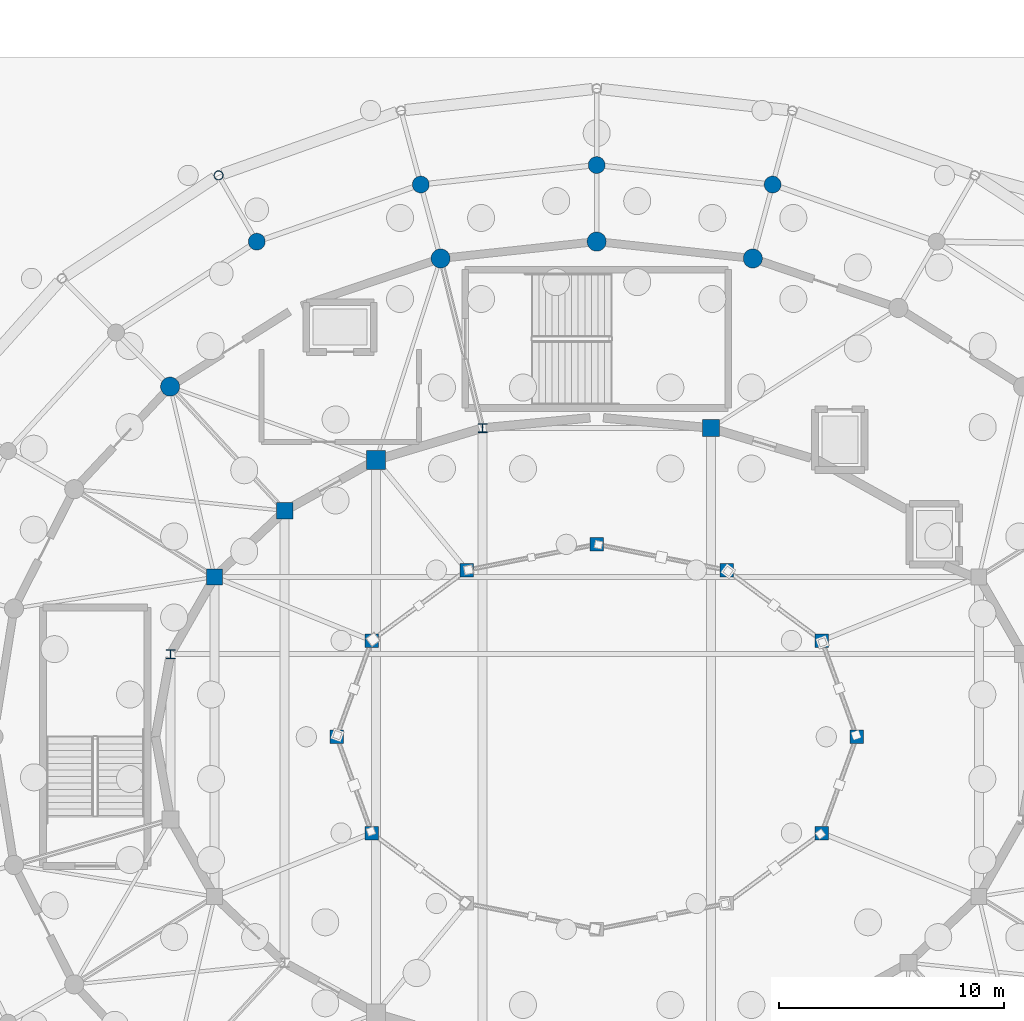
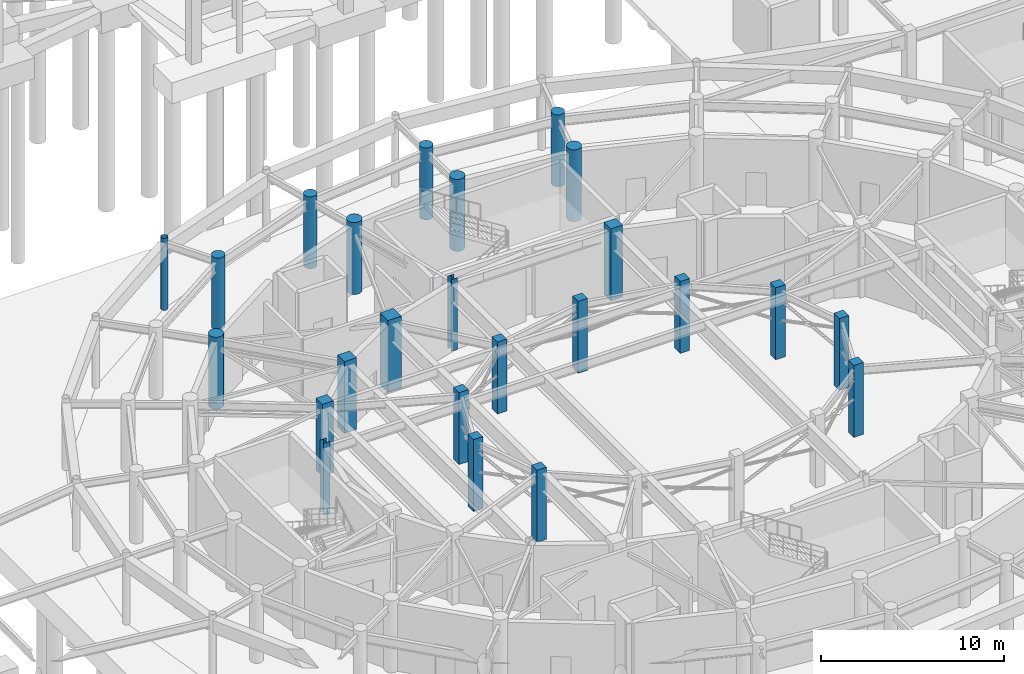
# One storey, part 15 of 68: 24 columns.
"""IFC4 building model written with IfcOpenShell, lengths in metres."""

from ifc_helpers import new_model, si_unit, direction, frame, origin, origin_2d, place, context, subcontext, project, spatial, rectangle, circle, hollow_circle, i_section, extrude, material, material_profile, profile_set, type_object, element, save


model = new_model("IFC4")

# Units and contexts
model_context = context("Model", 3, precision=1e-05, world=origin(), true_north=direction((0.0, 1.0)))
body_context = subcontext(model_context, "Body", "Model", "MODEL_VIEW")
ifc_project = project(units=[si_unit("LENGTHUNIT", "METRE"), si_unit("AREAUNIT", "SQUARE_METRE"), si_unit("VOLUMEUNIT", "CUBIC_METRE"), si_unit("PLANEANGLEUNIT", "RADIAN"), si_unit("MASSUNIT", "GRAM", prefix="KILO")], contexts=[model_context])

# Site, building, storey
site_placement = place(None, origin())
site = spatial("IfcSite", under=ifc_project, at=site_placement, CompositionType="ELEMENT")
building_placement = place(site_placement, origin())
building = spatial("IfcBuilding", under=site, at=building_placement, Name="Cinderbank Siding Concert Hall", CompositionType="ELEMENT")
storey_placement = place(building_placement, frame((0.0, 0.0, -4.800048828125)))
storey = spatial("IfcBuildingStorey", under=building, at=storey_placement, Name="B1", CompositionType="ELEMENT", Elevation=-4.800048828125)

# Columns
ifc_material_1 = material(Name="Structural steel hollow section AS/NZS 1163 Grade C350L0 (350 MPa)", Category="steel")
ifc_material_profile_1 = material_profile(ifc_material_1, hollow_circle(Radius=0.203125, WallThickness=0.01611328125, at=origin_2d()), Name="406.4x16.0CHS", Category="LoadBearing")
ifc_profile_set_1 = profile_set([ifc_material_profile_1], Name="Structural steel hollow section AS/NZS 1163 Grade C350L0 (350 MPa)")
column_type_1 = type_object("IfcColumnType", Name="C-CHS406 406.4x16.0CHS", PredefinedType="COLUMN", material=ifc_profile_set_1)
column_1_placement = place(storey_placement, frame((105.199951171875, 68.94189453125, 0.0), z_axis=(0.0, 0.0, 1.0), x_axis=(1.0, 0.0, 0.0)))
element("IfcColumn", 1, at=column_1_placement, inside=storey, type_object=column_type_1, Name="B1 Column COL-E4-09", PredefinedType="COLUMN", context=body_context, shape_type="SweptSolid", body=[
    extrude(hollow_circle(Radius=0.203125, WallThickness=0.01611328125, at=origin_2d()), origin(), (0.0, 0.0, 1.0), 4.800048828125),
])
ifc_material_2 = material(Name="Reinforced concrete AS 3600 N50 (50 MPa)", Category="concrete")
ifc_material_profile_2 = material_profile(ifc_material_2, rectangle(XDim=0.60009765625, YDim=0.60009765625, at=origin_2d()), Name="RC-COL-600x600", Category="LoadBearing")
ifc_profile_set_2 = profile_set([ifc_material_profile_2], Name="Reinforced concrete AS 3600 N50 (50 MPa)")
column_type_2 = type_object("IfcColumnType", Name="C-RC600 RC-COL-600x600", PredefinedType="COLUMN", material=ifc_profile_set_2)
for number, where, z_axis, x_axis, name in (
    (2, (133.550048828125, 44.0, 0.0), (0.0, 0.0, 1.0), (1.0, 0.0, 0.0), "B1 Column COL-E0-01"),
    (3, (132.0029296875, 48.27490234375, 0.0), (0.0, 0.0, 1.0), (1.0, 0.0, 0.0), "B1 Column COL-E0-03"),
    (4, (127.77490234375, 51.404052734375, 0.0), (0.0, 0.0, 1.0), (1.0, 0.0, 0.0), "B1 Column COL-E0-05"),
    (5, (122.0, 52.550048828125, 0.0), (0.0, 0.0, 1.0), (1.0, 0.0, 0.0), "B1 Column COL-E0-07"),
    (6, (116.22509765625, 51.404052734375, 0.0), (0.0, 0.0, 1.0), (1.0, 0.0, 0.0), "B1 Column COL-E0-09"),
    (7, (111.9970703125, 48.27490234375, 0.0), (0.0, 0.0, 1.0), (1.0, 0.0, 0.0), "B1 Column COL-E0-11"),
    (8, (110.449951171875, 44.0, 0.0), (0.0, 0.0, 1.0), (1.0, 0.0, 0.0), "B1 Column COL-E0-13"),
    (9, (111.9970703125, 39.72509765625, 0.0), (0.0, 0.0, 1.0), (1.0, 0.0, 0.0), "B1 Column COL-E0-15"),
    (10, (132.0029296875, 39.72509765625, 0.0), (0.0, 0.0, 1.0), (1.0, 0.0, 0.0), "B1 Column COL-E0-23"),
):
    element("IfcColumn", number, at=place(storey_placement, frame(where, z_axis=z_axis, x_axis=x_axis)), inside=storey, type_object=column_type_2, Name=name, PredefinedType="COLUMN", context=body_context, shape_type="SweptSolid", body=[
        extrude(rectangle(XDim=0.60009765625, YDim=0.60009765625, at=origin_2d()), origin(), (0.0, 0.0, 1.0), 4.800048828125),
    ])
ifc_material_profile_3 = material_profile(ifc_material_2, rectangle(XDim=0.699951171875, YDim=0.699951171875, at=origin_2d()), Name="RC-COL-700x700", Category="LoadBearing")
ifc_profile_set_3 = profile_set([ifc_material_profile_3], Name="Reinforced concrete AS 3600 N50 (50 MPa)")
column_type_3 = type_object("IfcColumnType", Name="C-RC700 RC-COL-700x700", PredefinedType="COLUMN", material=ifc_profile_set_3)
column_2_placement = place(storey_placement, frame((105.02587890625, 51.10009765625, 0.0), z_axis=(0.0, 0.0, 1.0), x_axis=(1.0, 0.0, 0.0)))
element("IfcColumn", 11, at=column_2_placement, inside=storey, type_object=column_type_3, Name="B1 Column COL-E1-11", PredefinedType="COLUMN", context=body_context, shape_type="SweptSolid", body=[
    extrude(rectangle(XDim=0.699951171875, YDim=0.699951171875, at=origin_2d()), origin(), (0.0, 0.0, 1.0), 4.800048828125),
])
ifc_material_profile_4 = material_profile(ifc_material_2, rectangle(XDim=0.75, YDim=0.75, at=origin_2d()), Name="RC-COL-750x750", Category="LoadBearing")
ifc_profile_set_4 = profile_set([ifc_material_profile_4], Name="Reinforced concrete AS 3600 N50 (50 MPa)")
column_type_4 = type_object("IfcColumnType", Name="C-RC750 RC-COL-750x750", PredefinedType="COLUMN", material=ifc_profile_set_4)
for number, where, z_axis, x_axis, name in (
    (12, (127.072998046875, 57.716064453125, 0.0), (0.0, 0.0, 1.0), (1.0, 0.0, 0.0), "B1 Column COL-E1-06"),
    (13, (108.14111328125, 54.041015625, 0.0), (0.0, 0.0, 1.0), (1.0, 0.0, 0.0), "B1 Column COL-E1-10"),
):
    element("IfcColumn", number, at=place(storey_placement, frame(where, z_axis=z_axis, x_axis=x_axis)), inside=storey, type_object=column_type_4, Name=name, PredefinedType="COLUMN", context=body_context, shape_type="SweptSolid", body=[
        extrude(rectangle(XDim=0.75, YDim=0.75, at=origin_2d()), origin(), (0.0, 0.0, 1.0), 4.800048828125),
    ])
ifc_material_profile_5 = material_profile(ifc_material_2, rectangle(XDim=0.85009765625, YDim=0.85009765625, at=origin_2d()), Name="RC-COL-850x850", Category="LoadBearing")
ifc_profile_set_5 = profile_set([ifc_material_profile_5], Name="Reinforced concrete AS 3600 N50 (50 MPa)")
column_type_5 = type_object("IfcColumnType", Name="C-RC850 RC-COL-850x850", PredefinedType="COLUMN", material=ifc_profile_set_5)
column_3_placement = place(storey_placement, frame((112.199951171875, 56.298095703125, 0.0), z_axis=(0.0, 0.0, 1.0), x_axis=(1.0, 0.0, 0.0)))
element("IfcColumn", 14, at=column_3_placement, inside=storey, type_object=column_type_5, Name="B1 Column COL-E1-09", PredefinedType="COLUMN", context=body_context, shape_type="SweptSolid", body=[
    extrude(rectangle(XDim=0.85009765625, YDim=0.85009765625, at=origin_2d()), origin(), (0.0, 0.0, 1.0), 4.800048828125),
])
ifc_material_profile_6 = material_profile(ifc_material_2, circle(Radius=0.375, at=origin_2d()), Name="RC-COL-750DIA", Category="LoadBearing")
ifc_profile_set_6 = profile_set([ifc_material_profile_6], Name="Reinforced concrete AS 3600 N50 (50 MPa)")
column_type_6 = type_object("IfcColumnType", Name="C-RCD750 RC-COL-750DIA", PredefinedType="COLUMN", material=ifc_profile_set_6)
for number, where, z_axis, x_axis, name in (
    (15, (129.81591796875, 68.533935546875, 0.0), (0.0, 0.0, 1.0), (1.0, 0.0, 0.0), "B1 Column COL-E3-06"),
    (16, (122.0, 69.39990234375, 0.0), (0.0, 0.0, 1.0), (1.0, 0.0, 0.0), "B1 Column COL-E3-07"),
    (17, (114.18408203125, 68.533935546875, 0.0), (0.0, 0.0, 1.0), (1.0, 0.0, 0.0), "B1 Column COL-E3-08"),
    (18, (106.89990234375, 65.9970703125, 0.0), (0.0, 0.0, 1.0), (1.0, 0.0, 0.0), "B1 Column COL-E3-09"),
):
    element("IfcColumn", number, at=place(storey_placement, frame(where, z_axis=z_axis, x_axis=x_axis)), inside=storey, type_object=column_type_6, Name=name, PredefinedType="COLUMN", context=body_context, shape_type="SweptSolid", body=[
        extrude(circle(Radius=0.375, at=origin_2d()), origin(), (0.0, 0.0, 1.0), 4.800048828125),
    ])
ifc_material_profile_7 = material_profile(ifc_material_2, circle(Radius=0.425048828125, at=origin_2d()), Name="RC-COL-850DIA", Category="LoadBearing")
ifc_profile_set_7 = profile_set([ifc_material_profile_7], Name="Reinforced concrete AS 3600 N50 (50 MPa)")
column_type_7 = type_object("IfcColumnType", Name="C-RCD850 RC-COL-850DIA", PredefinedType="COLUMN", material=ifc_profile_set_7)
for number, where, z_axis, x_axis, name in (
    (19, (128.93603515625, 65.25, 0.0), (0.0, 0.0, 1.0), (1.0, 0.0, 0.0), "B1 Column COL-E2-06"),
    (20, (122.0, 66.0, 0.0), (0.0, 0.0, 1.0), (1.0, 0.0, 0.0), "B1 Column COL-E2-07"),
    (21, (115.06396484375, 65.25, 0.0), (0.0, 0.0, 1.0), (1.0, 0.0, 0.0), "B1 Column COL-E2-08"),
    (22, (103.049072265625, 59.555908203125, 0.0), (0.0, 0.0, 1.0), (1.0, 0.0, 0.0), "B1 Column COL-E2-10"),
):
    element("IfcColumn", number, at=place(storey_placement, frame(where, z_axis=z_axis, x_axis=x_axis)), inside=storey, type_object=column_type_7, Name=name, PredefinedType="COLUMN", context=body_context, shape_type="SweptSolid", body=[
        extrude(circle(Radius=0.425048828125, at=origin_2d()), origin(), (0.0, 0.0, 1.0), 4.800048828125),
    ])
ifc_material_3 = material(Name="Structural steel welded plate section AS/NZS 3679.2 / AS/NZS 3678 Grade 350 (340 MPa)", Category="steel")
ifc_material_profile_8 = material_profile(ifc_material_3, i_section(OverallWidth=0.39990234375, OverallDepth=0.39990234375, WebThickness=0.01611328125, FlangeThickness=0.02490234375, at=origin_2d()), Name="400WC212", Category="LoadBearing")
ifc_profile_set_8 = profile_set([ifc_material_profile_8], Name="Structural steel welded plate section AS/NZS 3679.2 / AS/NZS 3678 Grade 350 (340 MPa)")
column_type_8 = type_object("IfcColumnType", Name="C-WC400 400WC212", PredefinedType="COLUMN", material=ifc_profile_set_8)
for number, where, z_axis, x_axis, name in (
    (23, (116.927001953125, 57.716064453125, 0.0), (0.0, 0.0, 1.0), (1.0, 0.0, 0.0), "B1 Column COL-E1-08"),
    (24, (103.068115234375, 47.675048828125, 0.0), (0.0, 0.0, 1.0), (1.0, 0.0, 0.0), "B1 Column COL-E1-12"),
):
    element("IfcColumn", number, at=place(storey_placement, frame(where, z_axis=z_axis, x_axis=x_axis)), inside=storey, type_object=column_type_8, Name=name, PredefinedType="COLUMN", context=body_context, shape_type="SweptSolid", body=[
        extrude(i_section(OverallWidth=0.39990234375, OverallDepth=0.39990234375, WebThickness=0.01611328125, FlangeThickness=0.02490234375, at=origin_2d()), origin(), (0.0, 0.0, 1.0), 4.800048828125),
    ])

save(model, "model.ifc")
